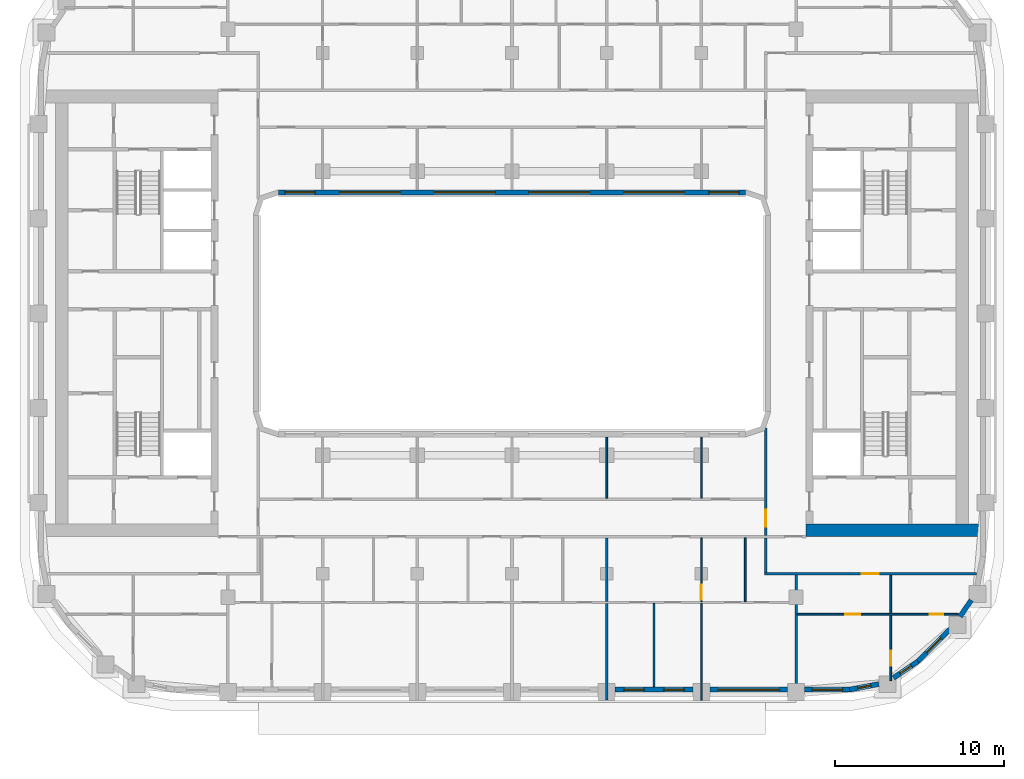
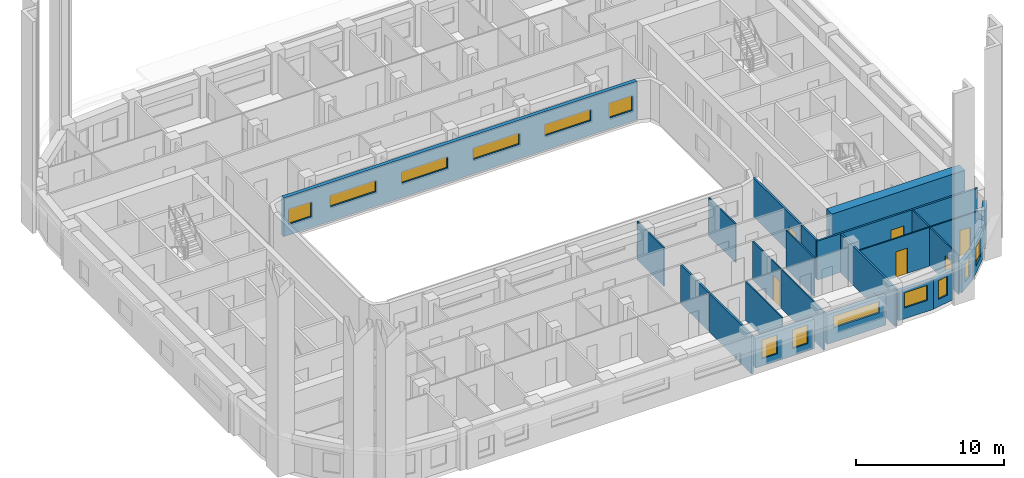
# One storey, part 5 of 22: 24 walls, 13 windows, 6 doors, 19 openings.
"""IFC4 building model written with IfcOpenShell, lengths in metres."""

from ifc_helpers import new_model, si_unit, direction, frame, frame_2d, origin, place, context, subcontext, project, spatial, rectangle, extrude, material, layer, layer_set, type_object, element, fill, save


model = new_model("IFC4")

# Units and contexts
model_context = context("Model", 3, precision=1e-05, world=origin(), true_north=direction((0.0, 1.0)))
body_context = subcontext(model_context, "Body", "Model", "MODEL_VIEW")
ifc_project = project(units=[si_unit("LENGTHUNIT", "METRE"), si_unit("AREAUNIT", "SQUARE_METRE"), si_unit("VOLUMEUNIT", "CUBIC_METRE"), si_unit("PLANEANGLEUNIT", "RADIAN"), si_unit("MASSUNIT", "GRAM", prefix="KILO")], contexts=[model_context])

# Site, building, storey
site_placement = place(None, origin())
site = spatial("IfcSite", under=ifc_project, at=site_placement, CompositionType="ELEMENT")
building_placement = place(site_placement, origin())
building = spatial("IfcBuilding", under=site, at=building_placement, Name="Kiln Ring Residences", CompositionType="ELEMENT")
storey_placement = place(building_placement, frame((0.0, 0.0, 160.60009765625)))
storey = spatial("IfcBuildingStorey", under=building, at=storey_placement, Name="L41", CompositionType="ELEMENT", Elevation=160.60009765625)

# Wall
ifc_material_1 = material(Name="Concrete C60/75", Category="concrete")
ifc_layer_1 = layer(ifc_material_1, 0.75)
ifc_layer_set_1 = layer_set([ifc_layer_1], Name="CORE-WALL-RC750")
wall_type_1 = type_object("IfcWallType", Name="CORE-WALL-RC750", PredefinedType="SHEAR", material=ifc_layer_set_1)
wall_1_placement = place(storey_placement, frame((17.39990234375, -12.824951171875, 0.0), z_axis=(0.0, 0.0, 1.0), x_axis=(1.0, 0.0, 0.0)))
element("IfcWall", 1, at=wall_1_placement, inside=storey, type_object=wall_type_1, Name="Core wall east L41 5", PredefinedType="SHEAR", context=body_context, shape_type="SweptSolid", body=[
    extrude(rectangle(XDim=10.400146484375, YDim=0.75, at=frame_2d((5.2001953125, 0.0))), origin(), (0.0, 0.0, 1.0), 3.199951171875),
])

# Wall, openings, windows
ifc_material_2 = material(Name="Brick masonry, dark clay brick", Category="masonry")
ifc_layer_2 = layer(ifc_material_2, 0.300048828125)
ifc_layer_set_2 = layer_set([ifc_layer_2], Name="EW-300 BRICK WALL")
wall_type_2 = type_object("IfcWallType", Name="EW-300 BRICK WALL", PredefinedType="SOLIDWALL", material=ifc_layer_set_2)
wall_2_placement = place(storey_placement, frame((6.10009765625, -22.25, 0.0), z_axis=(0.0, 0.0, 1.0), x_axis=(1.0, 0.0, 0.0)))
wall_2 = element("IfcWall", 2, at=wall_2_placement, inside=storey, type_object=wall_type_2, Name="Facade wall L41 9", PredefinedType="SOLIDWALL", context=body_context, shape_type="SweptSolid", body=[
    extrude(rectangle(XDim=4.599853515625, YDim=0.300048828125, at=frame_2d((2.2998046875, 0.0))), origin(), (0.0, 0.0, 1.0), 2.449951171875),
])
opening_1_placement = place(wall_2_placement, frame((0.512451171875, 0.0, 0.60009765625)))
opening_1 = element("IfcOpeningElement", 3, at=opening_1_placement, cuts=wall_2, Name="Opening W1", PredefinedType="OPENING", context=body_context, shape_type="SweptSolid", body=[
    extrude(rectangle(XDim=1.199951171875, YDim=1.550048828125, at=frame_2d((0.60009765625, 0.77490234375))), frame((0.0, 0.159912109375, 0.0), z_axis=(0.0, -1.0, 0.0), x_axis=(1.0, 0.0, 0.0)), (0.0, 0.0, 1.0), 0.320068359375),
])
opening_2_placement = place(wall_2_placement, frame((2.887451171875, 0.0, 0.60009765625)))
opening_2 = element("IfcOpeningElement", 4, at=opening_2_placement, cuts=wall_2, Name="Opening W1", PredefinedType="OPENING", context=body_context, shape_type="SweptSolid", body=[
    extrude(rectangle(XDim=1.199951171875, YDim=1.550048828125, at=frame_2d((0.60009765625, 0.77490234375))), frame((0.0, 0.159912109375, 0.0), z_axis=(0.0, -1.0, 0.0), x_axis=(1.0, 0.0, 0.0)), (0.0, 0.0, 1.0), 0.320068359375),
])
ifc_material_3 = material(Name="Aluminium frame with double glazing", Category="aluminium")
window_type_1 = type_object("IfcWindowType", Name="WINDOW 1200 x 1550", PartitioningType="SINGLE_PANEL", PredefinedType="WINDOW", material=ifc_material_3)
window_1_placement = place(opening_1_placement, origin())
window_1 = element("IfcWindow", 5, at=window_1_placement, inside=storey, type_object=window_type_1, Name="Window L41 9", OverallHeight=1.550048828125, OverallWidth=1.199951171875, PartitioningType="SINGLE_PANEL", PredefinedType="WINDOW", context=body_context, shape_type="SweptSolid", body=[
    extrude(rectangle(XDim=1.199951171875, YDim=1.550048828125, at=frame_2d((0.60009765625, 0.77490234375))), frame((0.0, 0.030029296875, 0.0), z_axis=(0.0, -1.0, 0.0), x_axis=(1.0, 0.0, 0.0)), (0.0, 0.0, 1.0), 0.06005859375),
])
fill(opening_1, window_1)
window_2_placement = place(opening_2_placement, origin())
window_2 = element("IfcWindow", 6, at=window_2_placement, inside=storey, type_object=window_type_1, Name="Window L41 10", OverallHeight=1.550048828125, OverallWidth=1.199951171875, PartitioningType="SINGLE_PANEL", PredefinedType="WINDOW", context=body_context, shape_type="SweptSolid", body=[
    extrude(rectangle(XDim=1.199951171875, YDim=1.550048828125, at=frame_2d((0.60009765625, 0.77490234375))), frame((0.0, 0.030029296875, 0.0), z_axis=(0.0, -1.0, 0.0), x_axis=(1.0, 0.0, 0.0)), (0.0, 0.0, 1.0), 0.06005859375),
])
fill(opening_2, window_2)

# Wall, opening, window
wall_3_placement = place(storey_placement, frame((11.699951171875, -22.25, 0.0), z_axis=(0.0, 0.0, 1.0), x_axis=(1.0, 0.0, 0.0)))
wall_3 = element("IfcWall", 7, at=wall_3_placement, inside=storey, type_object=wall_type_2, Name="Facade wall L41 10", PredefinedType="SOLIDWALL", context=body_context, shape_type="SweptSolid", body=[
    extrude(rectangle(XDim=4.60009765625, YDim=0.300048828125, at=frame_2d((2.300048828125, 0.0))), origin(), (0.0, 0.0, 1.0), 2.449951171875),
])
opening_3_placement = place(wall_3_placement, frame((0.5, 0.0, 1.199951171875)))
opening_3 = element("IfcOpeningElement", 8, at=opening_3_placement, cuts=wall_3, Name="Opening W4", PredefinedType="OPENING", context=body_context, shape_type="SweptSolid", body=[
    extrude(rectangle(XDim=3.60009765625, YDim=0.949951171875, at=frame_2d((1.800048828125, 0.47509765625))), frame((0.0, 0.159912109375, 0.0), z_axis=(0.0, -1.0, 0.0), x_axis=(1.0, 0.0, 0.0)), (0.0, 0.0, 1.0), 0.320068359375),
])
ifc_material_4 = material(Name="Aluminium frame with double glazing", Category="aluminium")
window_type_2 = type_object("IfcWindowType", Name="WINDOW 3600 x 950", PartitioningType="SINGLE_PANEL", PredefinedType="WINDOW", material=ifc_material_4)
window_3_placement = place(opening_3_placement, origin())
window_3 = element("IfcWindow", 9, at=window_3_placement, inside=storey, type_object=window_type_2, Name="Window L41 11", OverallHeight=0.949951171875, OverallWidth=3.60009765625, PartitioningType="SINGLE_PANEL", PredefinedType="WINDOW", context=body_context, shape_type="SweptSolid", body=[
    extrude(rectangle(XDim=3.60009765625, YDim=0.949951171875, at=frame_2d((1.800048828125, 0.47509765625))), frame((0.0, 0.030029296875, 0.0), z_axis=(0.0, -1.0, 0.0), x_axis=(1.0, 0.0, 0.0)), (0.0, 0.0, 1.0), 0.06005859375),
])
fill(opening_3, window_3)

wall_4_placement = place(storey_placement, frame((17.300048828125, -22.25, 0.0), z_axis=(0.0, 0.0, 1.0), x_axis=(1.0, 0.0, 0.0)))
wall_4 = element("IfcWall", 10, at=wall_4_placement, inside=storey, type_object=wall_type_2, Name="Facade wall L41 11", PredefinedType="SOLIDWALL", context=body_context, shape_type="SweptSolid", body=[
    extrude(rectangle(XDim=2.699951171875, YDim=0.300048828125, at=frame_2d((1.35009765625, 0.0))), origin(), (0.0, 0.0, 1.0), 2.449951171875),
])
opening_4_placement = place(wall_4_placement, frame((0.449951171875, 0.0, 0.89990234375)))
opening_4 = element("IfcOpeningElement", 11, at=opening_4_placement, cuts=wall_4, Name="Opening W2", PredefinedType="OPENING", context=body_context, shape_type="SweptSolid", body=[
    extrude(rectangle(XDim=1.800048828125, YDim=1.25, at=frame_2d((0.89990234375, 0.625))), frame((0.0, 0.159912109375, 0.0), z_axis=(0.0, -1.0, 0.0), x_axis=(1.0, 0.0, 0.0)), (0.0, 0.0, 1.0), 0.320068359375),
])
ifc_material_5 = material(Name="Aluminium frame with double glazing", Category="aluminium")
window_type_3 = type_object("IfcWindowType", Name="WINDOW 1800 x 1250", PartitioningType="SINGLE_PANEL", PredefinedType="WINDOW", material=ifc_material_5)
window_4_placement = place(opening_4_placement, origin())
window_4 = element("IfcWindow", 12, at=window_4_placement, inside=storey, type_object=window_type_3, Name="Window L41 12", OverallHeight=1.25, OverallWidth=1.800048828125, PartitioningType="SINGLE_PANEL", PredefinedType="WINDOW", context=body_context, shape_type="SweptSolid", body=[
    extrude(rectangle(XDim=1.800048828125, YDim=1.25, at=frame_2d((0.89990234375, 0.625))), frame((0.0, 0.030029296875, 0.0), z_axis=(0.0, -1.0, 0.0), x_axis=(1.0, 0.0, 0.0)), (0.0, 0.0, 1.0), 0.06005859375),
])
fill(opening_4, window_4)

wall_5_placement = place(storey_placement, frame((19.971923828125, -22.252685546875, 0.0), z_axis=(0.0, 0.0, 1.0), x_axis=(0.982284988433, 0.187393173565, 0.0)))
wall_5 = element("IfcWall", 13, at=wall_5_placement, inside=storey, type_object=wall_type_2, Name="Facade wall L41 12", PredefinedType="SOLIDWALL", context=body_context, shape_type="SweptSolid", body=[
    extrude(rectangle(XDim=1.756103515625, YDim=0.300048828125, at=frame_2d((0.8779296875, 0.0))), origin(), (0.0, 0.0, 1.0), 2.449951171875),
])
opening_5_placement = place(wall_5_placement, frame((0.47802734375, 0.0, 0.60009765625)))
opening_5 = element("IfcOpeningElement", 14, at=opening_5_placement, cuts=wall_5, Name="Opening W5", PredefinedType="OPENING", context=body_context, shape_type="SweptSolid", body=[
    extrude(rectangle(XDim=0.800048828125, YDim=1.550048828125, at=frame_2d((0.39990234375, 0.77490234375))), frame((0.0, 0.159912109375, 0.0), z_axis=(0.0, -1.0, 0.0), x_axis=(1.0, 0.0, 0.0)), (0.0, 0.0, 1.0), 0.320068359375),
])
ifc_material_6 = material(Name="Aluminium frame with double glazing", Category="aluminium")
window_type_4 = type_object("IfcWindowType", Name="WINDOW 800 x 1550", PartitioningType="SINGLE_PANEL", PredefinedType="WINDOW", material=ifc_material_6)
window_5_placement = place(opening_5_placement, origin())
window_5 = element("IfcWindow", 15, at=window_5_placement, inside=storey, type_object=window_type_4, Name="Window L41 13", OverallHeight=1.550048828125, OverallWidth=0.800048828125, PartitioningType="SINGLE_PANEL", PredefinedType="WINDOW", context=body_context, shape_type="SweptSolid", body=[
    extrude(rectangle(XDim=0.800048828125, YDim=1.550048828125, at=frame_2d((0.39990234375, 0.77490234375))), frame((0.0, 0.030029296875, 0.0), z_axis=(0.0, -1.0, 0.0), x_axis=(1.0, 0.0, 0.0)), (0.0, 0.0, 1.0), 0.06005859375),
])
fill(opening_5, window_5)

wall_6_placement = place(storey_placement, frame((22.560302734375, -21.56591796875, 0.0), z_axis=(0.0, 0.0, 1.0), x_axis=(0.82707645233, 0.562089443061, 0.0)))
wall_6 = element("IfcWall", 16, at=wall_6_placement, inside=storey, type_object=wall_type_2, Name="Facade wall L41 13", PredefinedType="SOLIDWALL", context=body_context, shape_type="SweptSolid", body=[
    extrude(rectangle(XDim=1.756103515625, YDim=0.300048828125, at=frame_2d((0.8779296875, 0.0))), origin(), (0.0, 0.0, 1.0), 2.449951171875),
])
opening_6_placement = place(wall_6_placement, frame((0.47802734375, 0.0, 0.60009765625)))
opening_6 = element("IfcOpeningElement", 17, at=opening_6_placement, cuts=wall_6, Name="Opening W5", PredefinedType="OPENING", context=body_context, shape_type="SweptSolid", body=[
    extrude(rectangle(XDim=0.800048828125, YDim=1.550048828125, at=frame_2d((0.39990234375, 0.77490234375))), frame((0.0, 0.159912109375, 0.0), z_axis=(0.0, -1.0, 0.0), x_axis=(1.0, 0.0, 0.0)), (0.0, 0.0, 1.0), 0.320068359375),
])
window_6_placement = place(opening_6_placement, origin())
window_6 = element("IfcWindow", 18, at=window_6_placement, inside=storey, type_object=window_type_4, Name="Window L41 14", OverallHeight=1.550048828125, OverallWidth=0.800048828125, PartitioningType="SINGLE_PANEL", PredefinedType="WINDOW", context=body_context, shape_type="SweptSolid", body=[
    extrude(rectangle(XDim=0.800048828125, YDim=1.550048828125, at=frame_2d((0.39990234375, 0.77490234375))), frame((0.0, 0.030029296875, 0.0), z_axis=(0.0, -1.0, 0.0), x_axis=(1.0, 0.0, 0.0)), (0.0, 0.0, 1.0), 0.06005859375),
])
fill(opening_6, window_6)

wall_7_placement = place(storey_placement, frame((23.990966796875, -20.596923828125, 0.0), z_axis=(0.0, 0.0, 1.0), x_axis=(0.707106781187, 0.707106781187, 0.0)))
wall_7 = element("IfcWall", 19, at=wall_7_placement, inside=storey, type_object=wall_type_2, Name="Facade wall L41 14", PredefinedType="SOLIDWALL", context=body_context, shape_type="SweptSolid", body=[
    extrude(rectangle(XDim=2.699951171875, YDim=0.300048828125, at=frame_2d((1.35009765625, 0.0))), origin(), (0.0, 0.0, 1.0), 2.449951171875),
])
opening_7_placement = place(wall_7_placement, frame((0.75, 0.0, 0.60009765625)))
opening_7 = element("IfcOpeningElement", 20, at=opening_7_placement, cuts=wall_7, Name="Opening W1", PredefinedType="OPENING", context=body_context, shape_type="SweptSolid", body=[
    extrude(rectangle(XDim=1.199951171875, YDim=1.550048828125, at=frame_2d((0.60009765625, 0.77490234375))), frame((0.0, 0.159912109375, 0.0), z_axis=(0.0, -1.0, 0.0), x_axis=(1.0, 0.0, 0.0)), (0.0, 0.0, 1.0), 0.320068359375),
])
window_7_placement = place(opening_7_placement, origin())
window_7 = element("IfcWindow", 21, at=window_7_placement, inside=storey, type_object=window_type_1, Name="Window L41 15", OverallHeight=1.550048828125, OverallWidth=1.199951171875, PartitioningType="SINGLE_PANEL", PredefinedType="WINDOW", context=body_context, shape_type="SweptSolid", body=[
    extrude(rectangle(XDim=1.199951171875, YDim=1.550048828125, at=frame_2d((0.60009765625, 0.77490234375))), frame((0.0, 0.030029296875, 0.0), z_axis=(0.0, -1.0, 0.0), x_axis=(1.0, 0.0, 0.0)), (0.0, 0.0, 1.0), 0.06005859375),
])
fill(opening_7, window_7)

# Wall
wall_8_placement = place(storey_placement, frame((26.50439453125, -17.933837890625, 0.0), z_axis=(0.0, 0.0, 1.0), x_axis=(0.562145470373, 0.827038372833, 0.0)))
element("IfcWall", 22, at=wall_8_placement, inside=storey, type_object=wall_type_2, Name="Facade wall L41 15", PredefinedType="SOLIDWALL", context=body_context, shape_type="SweptSolid", body=[
    extrude(rectangle(XDim=1.177001953125, YDim=0.300048828125, at=frame_2d((0.58837890625, 0.0))), origin(), (0.0, 0.0, 1.0), 3.199951171875),
])

# Wall, openings, windows
wall_9_placement = place(storey_placement, frame((-13.800048828125, 7.14990234375, 0.0), z_axis=(0.0, 0.0, 1.0), x_axis=(1.0, 0.0, 0.0)))
wall_9 = element("IfcWall", 23, at=wall_9_placement, inside=storey, type_object=wall_type_2, Name="Facade wall L41 50", PredefinedType="SOLIDWALL", context=body_context, shape_type="SweptSolid", body=[
    extrude(rectangle(XDim=27.60009765625, YDim=0.300048828125, at=frame_2d((13.800048828125, 0.0))), origin(), (0.0, 0.0, 1.0), 3.199951171875),
])
opening_8_placement = place(wall_9_placement, frame((0.362548828125, 0.0, 0.89990234375)))
opening_8 = element("IfcOpeningElement", 24, at=opening_8_placement, cuts=wall_9, Name="Opening W2", PredefinedType="OPENING", context=body_context, shape_type="SweptSolid", body=[
    extrude(rectangle(XDim=1.800048828125, YDim=1.25, at=frame_2d((0.89990234375, 0.625))), frame((0.0, 0.159912109375, 0.0), z_axis=(0.0, -1.0, 0.0), x_axis=(1.0, 0.0, 0.0)), (0.0, 0.0, 1.0), 0.320068359375),
])
opening_9_placement = place(wall_9_placement, frame((3.60009765625, 0.0, 1.199951171875)))
opening_9 = element("IfcOpeningElement", 25, at=opening_9_placement, cuts=wall_9, Name="Opening W4", PredefinedType="OPENING", context=body_context, shape_type="SweptSolid", body=[
    extrude(rectangle(XDim=3.60009765625, YDim=0.949951171875, at=frame_2d((1.800048828125, 0.47509765625))), frame((0.0, 0.159912109375, 0.0), z_axis=(0.0, -1.0, 0.0), x_axis=(1.0, 0.0, 0.0)), (0.0, 0.0, 1.0), 0.320068359375),
])
opening_10_placement = place(wall_9_placement, frame((9.199951171875, 0.0, 1.199951171875)))
opening_10 = element("IfcOpeningElement", 26, at=opening_10_placement, cuts=wall_9, Name="Opening W4", PredefinedType="OPENING", context=body_context, shape_type="SweptSolid", body=[
    extrude(rectangle(XDim=3.60009765625, YDim=0.949951171875, at=frame_2d((1.800048828125, 0.47509765625))), frame((0.0, 0.159912109375, 0.0), z_axis=(0.0, -1.0, 0.0), x_axis=(1.0, 0.0, 0.0)), (0.0, 0.0, 1.0), 0.320068359375),
])
opening_11_placement = place(wall_9_placement, frame((14.800048828125, 0.0, 1.199951171875)))
opening_11 = element("IfcOpeningElement", 27, at=opening_11_placement, cuts=wall_9, Name="Opening W4", PredefinedType="OPENING", context=body_context, shape_type="SweptSolid", body=[
    extrude(rectangle(XDim=3.60009765625, YDim=0.949951171875, at=frame_2d((1.800048828125, 0.47509765625))), frame((0.0, 0.159912109375, 0.0), z_axis=(0.0, -1.0, 0.0), x_axis=(1.0, 0.0, 0.0)), (0.0, 0.0, 1.0), 0.320068359375),
])
opening_12_placement = place(wall_9_placement, frame((20.39990234375, 0.0, 1.199951171875)))
opening_12 = element("IfcOpeningElement", 28, at=opening_12_placement, cuts=wall_9, Name="Opening W4", PredefinedType="OPENING", context=body_context, shape_type="SweptSolid", body=[
    extrude(rectangle(XDim=3.60009765625, YDim=0.949951171875, at=frame_2d((1.800048828125, 0.47509765625))), frame((0.0, 0.159912109375, 0.0), z_axis=(0.0, -1.0, 0.0), x_axis=(1.0, 0.0, 0.0)), (0.0, 0.0, 1.0), 0.320068359375),
])
opening_13_placement = place(wall_9_placement, frame((25.4375, 0.0, 0.89990234375)))
opening_13 = element("IfcOpeningElement", 29, at=opening_13_placement, cuts=wall_9, Name="Opening W2", PredefinedType="OPENING", context=body_context, shape_type="SweptSolid", body=[
    extrude(rectangle(XDim=1.800048828125, YDim=1.25, at=frame_2d((0.89990234375, 0.625))), frame((0.0, 0.159912109375, 0.0), z_axis=(0.0, -1.0, 0.0), x_axis=(1.0, 0.0, 0.0)), (0.0, 0.0, 1.0), 0.320068359375),
])
window_8_placement = place(opening_8_placement, origin())
window_8 = element("IfcWindow", 30, at=window_8_placement, inside=storey, type_object=window_type_3, Name="Window L41 32", OverallHeight=1.25, OverallWidth=1.800048828125, PartitioningType="SINGLE_PANEL", PredefinedType="WINDOW", context=body_context, shape_type="SweptSolid", body=[
    extrude(rectangle(XDim=1.800048828125, YDim=1.25, at=frame_2d((0.89990234375, 0.625))), frame((0.0, 0.030029296875, 0.0), z_axis=(0.0, -1.0, 0.0), x_axis=(1.0, 0.0, 0.0)), (0.0, 0.0, 1.0), 0.06005859375),
])
fill(opening_8, window_8)
window_9_placement = place(opening_13_placement, origin())
window_9 = element("IfcWindow", 31, at=window_9_placement, inside=storey, type_object=window_type_3, Name="Window L41 37", OverallHeight=1.25, OverallWidth=1.800048828125, PartitioningType="SINGLE_PANEL", PredefinedType="WINDOW", context=body_context, shape_type="SweptSolid", body=[
    extrude(rectangle(XDim=1.800048828125, YDim=1.25, at=frame_2d((0.89990234375, 0.625))), frame((0.0, 0.030029296875, 0.0), z_axis=(0.0, -1.0, 0.0), x_axis=(1.0, 0.0, 0.0)), (0.0, 0.0, 1.0), 0.06005859375),
])
fill(opening_13, window_9)
window_10_placement = place(opening_9_placement, origin())
window_10 = element("IfcWindow", 32, at=window_10_placement, inside=storey, type_object=window_type_2, Name="Window L41 33", OverallHeight=0.949951171875, OverallWidth=3.60009765625, PartitioningType="SINGLE_PANEL", PredefinedType="WINDOW", context=body_context, shape_type="SweptSolid", body=[
    extrude(rectangle(XDim=3.60009765625, YDim=0.949951171875, at=frame_2d((1.800048828125, 0.47509765625))), frame((0.0, 0.030029296875, 0.0), z_axis=(0.0, -1.0, 0.0), x_axis=(1.0, 0.0, 0.0)), (0.0, 0.0, 1.0), 0.06005859375),
])
fill(opening_9, window_10)
window_11_placement = place(opening_10_placement, origin())
window_11 = element("IfcWindow", 33, at=window_11_placement, inside=storey, type_object=window_type_2, Name="Window L41 34", OverallHeight=0.949951171875, OverallWidth=3.60009765625, PartitioningType="SINGLE_PANEL", PredefinedType="WINDOW", context=body_context, shape_type="SweptSolid", body=[
    extrude(rectangle(XDim=3.60009765625, YDim=0.949951171875, at=frame_2d((1.800048828125, 0.47509765625))), frame((0.0, 0.030029296875, 0.0), z_axis=(0.0, -1.0, 0.0), x_axis=(1.0, 0.0, 0.0)), (0.0, 0.0, 1.0), 0.06005859375),
])
fill(opening_10, window_11)
window_12_placement = place(opening_11_placement, origin())
window_12 = element("IfcWindow", 34, at=window_12_placement, inside=storey, type_object=window_type_2, Name="Window L41 35", OverallHeight=0.949951171875, OverallWidth=3.60009765625, PartitioningType="SINGLE_PANEL", PredefinedType="WINDOW", context=body_context, shape_type="SweptSolid", body=[
    extrude(rectangle(XDim=3.60009765625, YDim=0.949951171875, at=frame_2d((1.800048828125, 0.47509765625))), frame((0.0, 0.030029296875, 0.0), z_axis=(0.0, -1.0, 0.0), x_axis=(1.0, 0.0, 0.0)), (0.0, 0.0, 1.0), 0.06005859375),
])
fill(opening_11, window_12)
window_13_placement = place(opening_12_placement, origin())
window_13 = element("IfcWindow", 35, at=window_13_placement, inside=storey, type_object=window_type_2, Name="Window L41 36", OverallHeight=0.949951171875, OverallWidth=3.60009765625, PartitioningType="SINGLE_PANEL", PredefinedType="WINDOW", context=body_context, shape_type="SweptSolid", body=[
    extrude(rectangle(XDim=3.60009765625, YDim=0.949951171875, at=frame_2d((1.800048828125, 0.47509765625))), frame((0.0, 0.030029296875, 0.0), z_axis=(0.0, -1.0, 0.0), x_axis=(1.0, 0.0, 0.0)), (0.0, 0.0, 1.0), 0.06005859375),
])
fill(opening_12, window_13)

# Wall, openings, doors
ifc_material_7 = material(Name="Gypsum board on steel studs", Category="steel")
ifc_layer_3 = layer(ifc_material_7, 0.10009765625)
ifc_layer_set_3 = layer_set([ifc_layer_3], Name="PARTITION-100")
wall_type_3 = type_object("IfcWallType", Name="PARTITION-100", PredefinedType="PARTITIONING", material=ifc_layer_set_3)
wall_10_placement = place(storey_placement, frame((16.875, -17.800048828125, 0.0), z_axis=(0.0, 0.0, 1.0), x_axis=(1.0, 0.0, 0.0)))
wall_10 = element("IfcWall", 36, at=wall_10_placement, inside=storey, type_object=wall_type_3, Name="Partition 001", PredefinedType="PARTITIONING", context=body_context, shape_type="SweptSolid", body=[
    extrude(rectangle(XDim=9.51904296875, YDim=0.10009765625, at=frame_2d((4.759521484375, 0.0))), origin(), (0.0, 0.0, 1.0), 3.199951171875),
])
opening_14_placement = place(wall_10_placement, frame((7.843017578125, 0.0, 0.0)))
opening_14 = element("IfcOpeningElement", 37, at=opening_14_placement, cuts=wall_10, Name="Opening L41-D067", PredefinedType="OPENING", context=body_context, shape_type="SweptSolid", body=[
    extrude(rectangle(XDim=0.800048828125, YDim=2.10009765625, at=frame_2d((0.39990234375, 1.050048828125))), frame((0.0, 0.06005859375, 0.0), z_axis=(0.0, -1.0, 0.0), x_axis=(1.0, 0.0, 0.0)), (0.0, 0.0, 1.0), 0.1201171875),
])
opening_15_placement = place(wall_10_placement, frame((2.824951171875, 0.0, 0.0)))
opening_15 = element("IfcOpeningElement", 38, at=opening_15_placement, cuts=wall_10, Name="Opening L41-D068", PredefinedType="OPENING", context=body_context, shape_type="SweptSolid", body=[
    extrude(rectangle(XDim=0.89990234375, YDim=2.10009765625, at=frame_2d((0.449951171875, 1.050048828125))), frame((0.0, 0.06005859375, 0.0), z_axis=(0.0, -1.0, 0.0), x_axis=(1.0, 0.0, 0.0)), (0.0, 0.0, 1.0), 0.1201171875),
])
ifc_material_8 = material(Name="Timber door leaf", Category="wood")
door_type_1 = type_object("IfcDoorType", Name="FLAT-DOOR-800-PL", OperationType="SINGLE_SWING_LEFT", PredefinedType="DOOR", material=ifc_material_8)
door_1_placement = place(opening_14_placement, origin())
door_1 = element("IfcDoor", 39, at=door_1_placement, inside=storey, type_object=door_type_1, Name="Door L41-D067", OperationType="SINGLE_SWING_LEFT", OverallHeight=2.10009765625, OverallWidth=0.800048828125, PredefinedType="DOOR", context=body_context, shape_type="SweptSolid", body=[
    extrude(rectangle(XDim=0.800048828125, YDim=2.10009765625, at=frame_2d((0.39990234375, 1.050048828125))), frame((0.0, 0.02490234375, 0.0), z_axis=(0.0, -1.0, 0.0), x_axis=(1.0, 0.0, 0.0)), (0.0, 0.0, 1.0), 0.050048828125),
])
fill(opening_14, door_1)
ifc_material_9 = material(Name="Timber door leaf", Category="wood")
door_type_2 = type_object("IfcDoorType", Name="FLAT-DOOR-900-PL", OperationType="SINGLE_SWING_LEFT", PredefinedType="DOOR", material=ifc_material_9)
door_2_placement = place(opening_15_placement, origin())
door_2 = element("IfcDoor", 40, at=door_2_placement, inside=storey, type_object=door_type_2, Name="Door L41-D068", OperationType="SINGLE_SWING_RIGHT", OverallHeight=2.10009765625, OverallWidth=0.89990234375, PredefinedType="DOOR", context=body_context, shape_type="SweptSolid", body=[
    extrude(rectangle(XDim=0.89990234375, YDim=2.10009765625, at=frame_2d((0.449951171875, 1.050048828125))), frame((0.0, 0.02490234375, 0.0), z_axis=(0.0, -1.0, 0.0), x_axis=(1.0, 0.0, 0.0)), (0.0, 0.0, 1.0), 0.050048828125),
])
fill(opening_15, door_2)

# Walls
wall_11_placement = place(storey_placement, frame((5.60009765625, -10.925048828125, 0.0), z_axis=(0.0, 0.0, 1.0), x_axis=(0.0, 1.0, 0.0)))
element("IfcWall", 41, at=wall_11_placement, inside=storey, type_object=wall_type_3, Name="Partition 050", PredefinedType="PARTITIONING", context=body_context, shape_type="SweptSolid", body=[
    extrude(rectangle(XDim=3.60498046875, YDim=0.10009765625, at=frame_2d((1.802490234375, 0.0))), origin(), (0.0, 0.0, 1.0), 3.199951171875),
])
wall_12_placement = place(storey_placement, frame((8.39990234375, -22.080078125, 0.0), z_axis=(0.0, 0.0, 1.0), x_axis=(0.0, 1.0, 0.0)))
element("IfcWall", 42, at=wall_12_placement, inside=storey, type_object=wall_type_3, Name="Partition 056", PredefinedType="PARTITIONING", context=body_context, shape_type="SweptSolid", body=[
    extrude(rectangle(XDim=4.93017578125, YDim=0.10009765625, at=frame_2d((2.465087890625, 0.0))), origin(), (0.0, 0.0, 1.0), 3.199951171875),
])
wall_13_placement = place(storey_placement, frame((11.199951171875, -22.8798828125, 0.0), z_axis=(0.0, 0.0, 1.0), x_axis=(0.0, 1.0, 0.0)))
element("IfcWall", 43, at=wall_13_placement, inside=storey, type_object=wall_type_3, Name="Partition 059", PredefinedType="PARTITIONING", context=body_context, shape_type="SweptSolid", body=[
    extrude(rectangle(XDim=5.72998046875, YDim=0.10009765625, at=frame_2d((2.864990234375, 0.0))), origin(), (0.0, 0.0, 1.0), 3.199951171875),
])

# Wall, opening, door
wall_14_placement = place(storey_placement, frame((11.199951171875, -17.050048828125, 0.0), z_axis=(0.0, 0.0, 1.0), x_axis=(0.0, 1.0, 0.0)))
wall_14 = element("IfcWall", 44, at=wall_14_placement, inside=storey, type_object=wall_type_3, Name="Partition 060", PredefinedType="PARTITIONING", context=body_context, shape_type="SweptSolid", body=[
    extrude(rectangle(XDim=3.775146484375, YDim=0.10009765625, at=frame_2d((1.8876953125, 0.0))), origin(), (0.0, 0.0, 1.0), 3.199951171875),
])
opening_16_placement = place(wall_14_placement, frame((0.10009765625, 0.0, 0.0)))
opening_16 = element("IfcOpeningElement", 45, at=opening_16_placement, cuts=wall_14, Name="Opening L41-D061", PredefinedType="OPENING", context=body_context, shape_type="SweptSolid", body=[
    extrude(rectangle(XDim=0.89990234375, YDim=2.10009765625, at=frame_2d((0.449951171875, 1.050048828125))), frame((0.0, 0.06005859375, 0.0), z_axis=(0.0, -1.0, 0.0), x_axis=(1.0, 0.0, 0.0)), (0.0, 0.0, 1.0), 0.1201171875),
])
door_3_placement = place(opening_16_placement, origin())
door_3 = element("IfcDoor", 46, at=door_3_placement, inside=storey, type_object=door_type_2, Name="Door L41-D061", OperationType="SINGLE_SWING_LEFT", OverallHeight=2.10009765625, OverallWidth=0.89990234375, PredefinedType="DOOR", context=body_context, shape_type="SweptSolid", body=[
    extrude(rectangle(XDim=0.89990234375, YDim=2.10009765625, at=frame_2d((0.449951171875, 1.050048828125))), frame((0.0, 0.02490234375, 0.0), z_axis=(0.0, -1.0, 0.0), x_axis=(1.0, 0.0, 0.0)), (0.0, 0.0, 1.0), 0.050048828125),
])
fill(opening_16, door_3)

# Walls
wall_15_placement = place(storey_placement, frame((11.199951171875, -10.925048828125, 0.0), z_axis=(0.0, 0.0, 1.0), x_axis=(0.0, 1.0, 0.0)))
element("IfcWall", 47, at=wall_15_placement, inside=storey, type_object=wall_type_3, Name="Partition 061", PredefinedType="PARTITIONING", context=body_context, shape_type="SweptSolid", body=[
    extrude(rectangle(XDim=3.60498046875, YDim=0.10009765625, at=frame_2d((1.802490234375, 0.0))), origin(), (0.0, 0.0, 1.0), 3.199951171875),
])
wall_16_placement = place(storey_placement, frame((13.800048828125, -17.050048828125, 0.0), z_axis=(0.0, 0.0, 1.0), x_axis=(0.0, 1.0, 0.0)))
element("IfcWall", 48, at=wall_16_placement, inside=storey, type_object=wall_type_3, Name="Partition 065", PredefinedType="PARTITIONING", context=body_context, shape_type="SweptSolid", body=[
    extrude(rectangle(XDim=3.775146484375, YDim=0.10009765625, at=frame_2d((1.8876953125, 0.0))), origin(), (0.0, 0.0, 1.0), 3.199951171875),
])

# Wall, opening, door
wall_17_placement = place(storey_placement, frame((22.39990234375, -21.719970703125, 0.0), z_axis=(0.0, 0.0, 1.0), x_axis=(0.0, 1.0, 0.0)))
wall_17 = element("IfcWall", 49, at=wall_17_placement, inside=storey, type_object=wall_type_3, Name="Partition 073", PredefinedType="PARTITIONING", context=body_context, shape_type="SweptSolid", body=[
    extrude(rectangle(XDim=3.869873046875, YDim=0.10009765625, at=frame_2d((1.93505859375, 0.0))), origin(), (0.0, 0.0, 1.0), 3.199951171875),
])
opening_17_placement = place(wall_17_placement, frame((0.8720703125, 0.0, 0.0)))
opening_17 = element("IfcOpeningElement", 50, at=opening_17_placement, cuts=wall_17, Name="Opening L41-D069", PredefinedType="OPENING", context=body_context, shape_type="SweptSolid", body=[
    extrude(rectangle(XDim=0.89990234375, YDim=2.10009765625, at=frame_2d((0.449951171875, 1.050048828125))), frame((0.0, 0.06005859375, 0.0), z_axis=(0.0, -1.0, 0.0), x_axis=(1.0, 0.0, 0.0)), (0.0, 0.0, 1.0), 0.1201171875),
])
door_4_placement = place(opening_17_placement, origin())
door_4 = element("IfcDoor", 51, at=door_4_placement, inside=storey, type_object=door_type_2, Name="Door L41-D069", OperationType="SINGLE_SWING_LEFT", OverallHeight=2.10009765625, OverallWidth=0.89990234375, PredefinedType="DOOR", context=body_context, shape_type="SweptSolid", body=[
    extrude(rectangle(XDim=0.89990234375, YDim=2.10009765625, at=frame_2d((0.449951171875, 1.050048828125))), frame((0.0, 0.02490234375, 0.0), z_axis=(0.0, -1.0, 0.0), x_axis=(1.0, 0.0, 0.0)), (0.0, 0.0, 1.0), 0.050048828125),
])
fill(opening_17, door_4)

# Wall
wall_18_placement = place(storey_placement, frame((22.39990234375, -17.75, 0.0), z_axis=(0.0, 0.0, 1.0), x_axis=(0.0, 1.0, 0.0)))
element("IfcWall", 52, at=wall_18_placement, inside=storey, type_object=wall_type_3, Name="Partition 074", PredefinedType="PARTITIONING", context=body_context, shape_type="SweptSolid", body=[
    extrude(rectangle(XDim=2.27490234375, YDim=0.10009765625, at=frame_2d((1.137451171875, 0.0))), origin(), (0.0, 0.0, 1.0), 3.199951171875),
])

# Wall, opening, door
ifc_material_10 = material(Name="Brick masonry partition", Category="masonry")
ifc_layer_4 = layer(ifc_material_10, 0.14990234375)
ifc_layer_set_4 = layer_set([ifc_layer_4], Name="PARTITION-150-ei60")
wall_type_4 = type_object("IfcWallType", Name="PARTITION-150-ei60", PredefinedType="PARTITIONING", material=ifc_layer_set_4)
wall_19_placement = place(storey_placement, frame((14.925048828125, -15.39990234375, 0.0), z_axis=(0.0, 0.0, 1.0), x_axis=(1.0, 0.0, 0.0)))
wall_19 = element("IfcWall", 53, at=wall_19_placement, inside=storey, type_object=wall_type_4, Name="Partition 004", PredefinedType="PARTITIONING", context=body_context, shape_type="SweptSolid", body=[
    extrude(rectangle(XDim=12.558837890625, YDim=0.14990234375, at=frame_2d((6.279296875, 0.0))), origin(), (0.0, 0.0, 1.0), 3.199951171875),
])
opening_18_placement = place(wall_19_placement, frame((5.77490234375, 0.0, 0.0)))
opening_18 = element("IfcOpeningElement", 54, at=opening_18_placement, cuts=wall_19, Name="Opening L41-D066", PredefinedType="OPENING", context=body_context, shape_type="SweptSolid", body=[
    extrude(rectangle(XDim=1.0, YDim=2.10009765625, at=frame_2d((0.5, 1.050048828125))), frame((0.0, 0.0849609375, 0.0), z_axis=(0.0, -1.0, 0.0), x_axis=(1.0, 0.0, 0.0)), (0.0, 0.0, 1.0), 0.169921875),
])
ifc_material_11 = material(Name="Steel faced fire door leaf", Category="steel")
door_type_3 = type_object("IfcDoorType", Name="FLAT-DOOR-1000-FR", OperationType="SINGLE_SWING_LEFT", PredefinedType="DOOR", material=ifc_material_11)
door_5_placement = place(opening_18_placement, origin())
door_5 = element("IfcDoor", 55, at=door_5_placement, inside=storey, type_object=door_type_3, Name="Door L41-D066", OperationType="SINGLE_SWING_RIGHT", OverallHeight=2.10009765625, OverallWidth=1.0, PredefinedType="DOOR", context=body_context, shape_type="SweptSolid", body=[
    extrude(rectangle(XDim=1.0, YDim=2.10009765625, at=frame_2d((0.5, 1.050048828125))), frame((0.0, 0.02490234375, 0.0), z_axis=(0.0, -1.0, 0.0), x_axis=(1.0, 0.0, 0.0)), (0.0, 0.0, 1.0), 0.050048828125),
])
fill(opening_18, door_5)

# Walls
wall_20_placement = place(storey_placement, frame((5.60009765625, -22.8798828125, 0.0), z_axis=(0.0, 0.0, 1.0), x_axis=(0.0, 1.0, 0.0)))
element("IfcWall", 56, at=wall_20_placement, inside=storey, type_object=wall_type_4, Name="Partition 052", PredefinedType="PARTITIONING", context=body_context, shape_type="SweptSolid", body=[
    extrude(rectangle(XDim=5.72998046875, YDim=0.14990234375, at=frame_2d((2.864990234375, 0.0))), origin(), (0.0, 0.0, 1.0), 3.199951171875),
])
wall_21_placement = place(storey_placement, frame((5.60009765625, -17.050048828125, 0.0), z_axis=(0.0, 0.0, 1.0), x_axis=(0.0, 1.0, 0.0)))
element("IfcWall", 57, at=wall_21_placement, inside=storey, type_object=wall_type_4, Name="Partition 053", PredefinedType="PARTITIONING", context=body_context, shape_type="SweptSolid", body=[
    extrude(rectangle(XDim=3.775146484375, YDim=0.14990234375, at=frame_2d((1.8876953125, 0.0))), origin(), (0.0, 0.0, 1.0), 3.199951171875),
])
wall_22_placement = place(storey_placement, frame((15.0, -15.324951171875, 0.0), z_axis=(0.0, 0.0, 1.0), x_axis=(0.0, 1.0, 0.0)))
element("IfcWall", 58, at=wall_22_placement, inside=storey, type_object=wall_type_4, Name="Partition 067", PredefinedType="PARTITIONING", context=body_context, shape_type="SweptSolid", body=[
    extrude(rectangle(XDim=2.050048828125, YDim=0.14990234375, at=frame_2d((1.02490234375, 0.0))), origin(), (0.0, 0.0, 1.0), 3.199951171875),
])

# Wall, opening, door
wall_23_placement = place(storey_placement, frame((15.0, -13.125, 0.0), z_axis=(0.0, 0.0, 1.0), x_axis=(0.0, 1.0, 0.0)))
wall_23 = element("IfcWall", 59, at=wall_23_placement, inside=storey, type_object=wall_type_4, Name="Partition 068", PredefinedType="PARTITIONING", context=body_context, shape_type="SweptSolid", body=[
    extrude(rectangle(XDim=6.356201171875, YDim=0.14990234375, at=frame_2d((3.17822265625, 0.0))), origin(), (0.0, 0.0, 1.0), 3.199951171875),
])
opening_19_placement = place(wall_23_placement, frame((0.49609375, 0.0, 0.0)))
opening_19 = element("IfcOpeningElement", 60, at=opening_19_placement, cuts=wall_23, Name="Opening L41-D006", PredefinedType="OPENING", context=body_context, shape_type="SweptSolid", body=[
    extrude(rectangle(XDim=1.0, YDim=2.10009765625, at=frame_2d((0.5, 1.050048828125))), frame((0.0, 0.0849609375, 0.0), z_axis=(0.0, -1.0, 0.0), x_axis=(1.0, 0.0, 0.0)), (0.0, 0.0, 1.0), 0.169921875),
])
door_6_placement = place(opening_19_placement, origin())
door_6 = element("IfcDoor", 61, at=door_6_placement, inside=storey, type_object=door_type_3, Name="Door L41-D006", OperationType="SINGLE_SWING_LEFT", OverallHeight=2.10009765625, OverallWidth=1.0, PredefinedType="DOOR", context=body_context, shape_type="SweptSolid", body=[
    extrude(rectangle(XDim=1.0, YDim=2.10009765625, at=frame_2d((0.5, 1.050048828125))), frame((0.0, 0.02490234375, 0.0), z_axis=(0.0, -1.0, 0.0), x_axis=(1.0, 0.0, 0.0)), (0.0, 0.0, 1.0), 0.050048828125),
])
fill(opening_19, door_6)

# Wall
wall_24_placement = place(storey_placement, frame((16.800048828125, -22.8798828125, 0.0), z_axis=(0.0, 0.0, 1.0), x_axis=(0.0, 1.0, 0.0)))
element("IfcWall", 62, at=wall_24_placement, inside=storey, type_object=wall_type_4, Name="Partition 071", PredefinedType="PARTITIONING", context=body_context, shape_type="SweptSolid", body=[
    extrude(rectangle(XDim=7.40478515625, YDim=0.14990234375, at=frame_2d((3.702392578125, 0.0))), origin(), (0.0, 0.0, 1.0), 3.199951171875),
])

save(model, "model.ifc")
